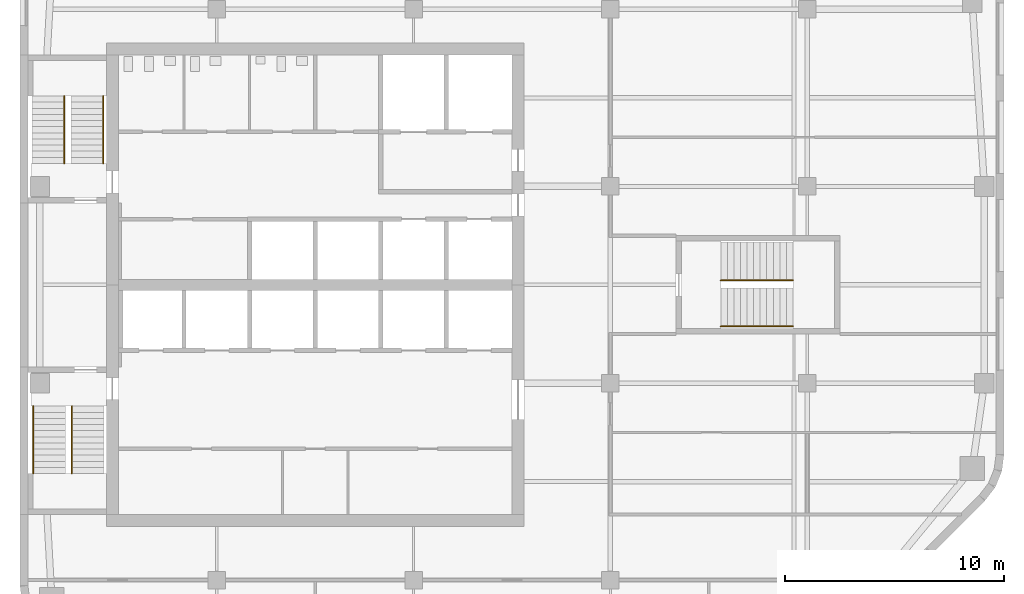
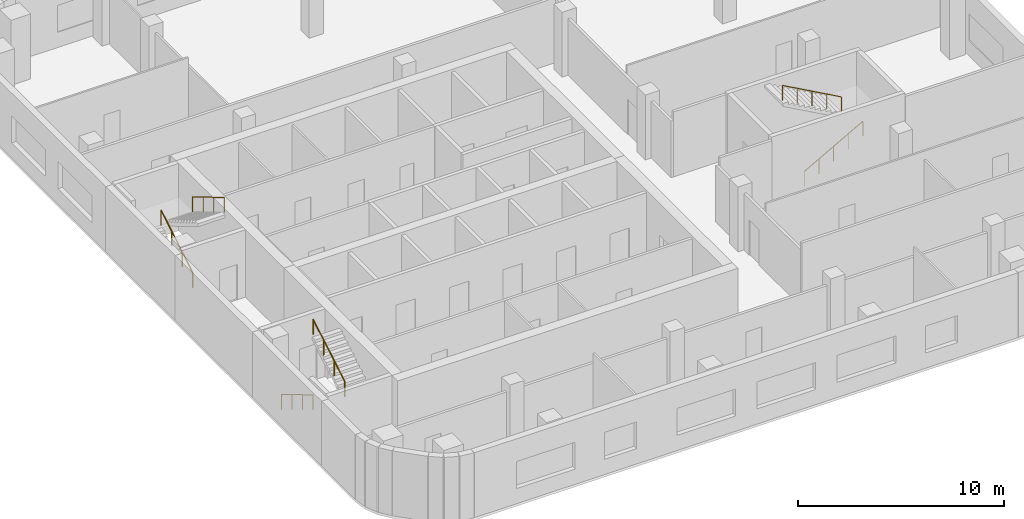
# One storey, part 6 of 7: 6 railings, 3 elements without a shape of their own.
"""IFC4 building model written with IfcOpenShell, lengths in metres."""

import ifcopenshell
import ifcopenshell.guid

model = None  # the IFC model being written
_history = None  # IfcOwnerHistory: only IFC2X3 demands one
_inside = {}  # id of a spatial element -> (the spatial element, [elements in it])
_under = {}  # id of a project, library or spatial element -> (it, [spatial elements below it])
_declared = {}  # id of a project -> (the project, [libraries it declares])
_typed = {}  # id of a type object -> (the type object, [elements of that type])
_made_of = {}  # id of a material, layer set ... -> (it, [elements and type objects made of it])


def new_model(schema):
    """Start an empty IFC model of exactly this schema.

    Asked for "IFC4X3", IfcOpenShell would pick the latest addendum, in which some entities
    have other attributes; the version numbers below select the first issue.
    IFC2X3 requires an IfcOwnerHistory on every rooted entity: one is made here for all.
    """
    global model, _history
    if schema == "IFC4X3":
        model = ifcopenshell.file(schema_version=(4, 3, 0, 0))
    else:
        model = ifcopenshell.file(schema=schema)
    _inside.clear()
    _under.clear()
    _declared.clear()
    _typed.clear()
    _made_of.clear()
    _history = None
    if model.schema == "IFC2X3":
        org = make("IfcOrganization", Name="unknown")
        user = make(
            "IfcPersonAndOrganization",
            ThePerson=make("IfcPerson", FamilyName="unknown"),
            TheOrganization=org,
        )
        app = make(
            "IfcApplication",
            ApplicationDeveloper=org,
            Version="unknown",
            ApplicationFullName="unknown",
            ApplicationIdentifier="unknown",
        )
        _history = make(
            "IfcOwnerHistory",
            OwningUser=user,
            OwningApplication=app,
            ChangeAction="ADDED",
            CreationDate=0,
        )
    return model


def make(cls, **values):
    """One entity of the class cls with the attributes given. An attribute that is None is left unset."""
    return model.create_entity(
        cls, **{name: value for name, value in values.items() if value is not None}
    )


def rooted(cls, **values):
    """An entity with a GlobalId (a new one), such as an element, a storey or a relation."""
    return make(cls, GlobalId=ifcopenshell.guid.new(), OwnerHistory=_history, **values)


def si_unit(unit_type, name, prefix=None):
    """IfcSIUnit, for example si_unit("LENGTHUNIT", "METRE", prefix="MILLI")."""
    return make("IfcSIUnit", UnitType=unit_type, Prefix=prefix, Name=name)


def assignment(units):
    """IfcUnitAssignment: the units of a project."""
    return None if units is None else make("IfcUnitAssignment", Units=units)


def point(xyz):
    """IfcCartesianPoint."""
    return None if xyz is None else make("IfcCartesianPoint", Coordinates=xyz)


def direction(xyz):
    """IfcDirection."""
    return None if xyz is None else make("IfcDirection", DirectionRatios=xyz)


def frame(location, z_axis=None, x_axis=None):
    """IfcAxis2Placement3D, a coordinate frame: its origin and axes. An axis left out is left unset."""
    return make(
        "IfcAxis2Placement3D",
        Location=point(location),
        Axis=direction(z_axis),
        RefDirection=direction(x_axis),
    )


def frame_2d(location, x_axis=None):
    """IfcAxis2Placement2D, a coordinate frame in the plane: its origin and x axis."""
    return make(
        "IfcAxis2Placement2D", Location=point(location), RefDirection=direction(x_axis)
    )


def origin():
    """The frame at (0, 0, 0) with its axes left unset."""
    return frame((0.0, 0.0, 0.0))


def origin_2d():
    """The frame at (0, 0) in the plane with its x axis left unset."""
    return frame_2d((0.0, 0.0))


def place(relative_to, where):
    """IfcLocalPlacement: puts the frame where relative to a parent placement (None: the world)."""
    return make(
        "IfcLocalPlacement", PlacementRelTo=relative_to, RelativePlacement=where
    )


def context(
    kind, dimensions, precision=None, world=None, true_north=None, identifier=None
):
    """IfcGeometricRepresentationContext, for example the 3D "Model" context."""
    return make(
        "IfcGeometricRepresentationContext",
        ContextIdentifier=identifier,
        ContextType=kind,
        CoordinateSpaceDimension=dimensions,
        Precision=precision,
        WorldCoordinateSystem=world,
        TrueNorth=true_north,
    )


def subcontext(parent, identifier, kind, view, scale=None):
    """IfcGeometricRepresentationSubContext, for example "Body" below "Model"."""
    return make(
        "IfcGeometricRepresentationSubContext",
        ContextIdentifier=identifier,
        ContextType=kind,
        ParentContext=parent,
        TargetScale=scale,
        TargetView=view,
    )


def project(units=None, contexts=None):
    """IfcProject with its units and contexts."""
    return rooted(
        "IfcProject",
        Name="project",
        RepresentationContexts=contexts,
        UnitsInContext=assignment(units),
    )


def spatial(cls, under=None, at=None, **own):
    """A site, building, storey or space (cls), placed at a placement, below another one or the project."""
    s = rooted(cls, ObjectPlacement=at, **own)
    if under is not None:
        _under.setdefault(under.id(), (under, []))[1].append(s)
    return s


def profile(cls, at=None, kind="AREA", **sizes):
    """A parametric profile (cls). Its sizes go by their IFC names, for example OverallWidth=200.0."""
    return make(cls, ProfileType=kind, Position=at, **sizes)


def circle(**sizes):
    """IfcCircleProfileDef."""
    return profile("IfcCircleProfileDef", **sizes)


def extrude(swept, where, along, depth):
    """IfcExtrudedAreaSolid: the profile swept, set in the frame where, extruded along a direction by depth."""
    return make(
        "IfcExtrudedAreaSolid",
        SweptArea=swept,
        Position=where,
        ExtrudedDirection=direction(along),
        Depth=depth,
    )


def shape(context_of_items, identifier, shape_type, items):
    """IfcShapeRepresentation: the items that make up one representation, for example the "Body"."""
    return make(
        "IfcShapeRepresentation",
        ContextOfItems=context_of_items,
        RepresentationIdentifier=identifier,
        RepresentationType=shape_type,
        Items=items,
    )


def material(Name=None, Category=None):
    """IfcMaterial."""
    return make("IfcMaterial", Name=Name, Category=Category)


def made_of(thing, what):
    """Note that an element or type object is made of a material, layer set ...; save() writes the relation."""
    if what is not None:
        _made_of.setdefault(what.id(), (what, []))[1].append(thing)
    return thing


def type_object(cls, material=None, **own):
    """A type object (cls), such as IfcWallType, which elements share."""
    return made_of(rooted(cls, **own), material)


def element(
    cls,
    number,
    at=None,
    inside=None,
    cuts=None,
    type_object=None,
    material=None,
    context=None,
    identifier="Body",
    shape_type=None,
    held_by="IfcProductDefinitionShape",
    body=None,
    shapes=None,
    **own,
):
    """One element of the class cls, such as IfcWall. Its Tag is "e" and its number.

    at: its placement. inside: the storey or other place that contains it. cuts: it is an
    opening in that element (IfcRelVoidsElement). A single representation is given by context,
    identifier, shape_type and body (its items); several are given by shapes. held_by: the class
    of the entity that holds the representations. save() writes the other relations.
    """
    e = rooted(cls, Tag="e%d" % number, ObjectPlacement=at, **own)
    if body is not None:
        shapes = [shape(context, identifier, shape_type, body)]
    if shapes is not None:
        e.Representation = make(held_by, Representations=shapes)
    if inside is not None:
        _inside.setdefault(inside.id(), (inside, []))[1].append(e)
    if cuts is not None:
        rooted(
            "IfcRelVoidsElement", RelatingBuildingElement=cuts, RelatedOpeningElement=e
        )
    if type_object is not None:
        _typed.setdefault(type_object.id(), (type_object, []))[1].append(e)
    return made_of(e, material)


def aggregate(whole, parts):
    """IfcRelAggregates: a whole, such as a stair, and the parts it consists of."""
    return rooted("IfcRelAggregates", RelatingObject=whole, RelatedObjects=parts)


def save(model, path):
    """Write the relations noted so far, then the file.

    IfcRelAggregates (storeys below a building ...), IfcRelContainedInSpatialStructure (elements
    in a storey), IfcRelDefinesByType, IfcRelAssociatesMaterial and IfcRelDeclares: one each for
    every whole, place, type object, material and project.
    """
    for whole, parts in _under.values():
        aggregate(whole, parts)
    for where, things in _inside.values():
        rooted(
            "IfcRelContainedInSpatialStructure",
            RelatedElements=things,
            RelatingStructure=where,
        )
    for kind, things in _typed.values():
        rooted("IfcRelDefinesByType", RelatedObjects=things, RelatingType=kind)
    for what, things in _made_of.values():
        rooted("IfcRelAssociatesMaterial", RelatedObjects=things, RelatingMaterial=what)
    for by, libraries in _declared.values():
        rooted("IfcRelDeclares", RelatingContext=by, RelatedDefinitions=libraries)
    model.write(path)


model = new_model("IFC4")

# Units and contexts
model_context = context("Model", 3, precision=1e-05, world=origin(), true_north=direction((0.0, 1.0)))
body_context = subcontext(model_context, "Body", "Model", "MODEL_VIEW")
ifc_project = project(units=[si_unit("LENGTHUNIT", "METRE"), si_unit("AREAUNIT", "SQUARE_METRE"), si_unit("VOLUMEUNIT", "CUBIC_METRE"), si_unit("PLANEANGLEUNIT", "RADIAN"), si_unit("MASSUNIT", "GRAM", prefix="KILO")], contexts=[model_context])

# Site, building, storey
site_placement = place(None, origin())
site = spatial("IfcSite", under=ifc_project, at=site_placement, CompositionType="ELEMENT")
building_placement = place(site_placement, origin())
building = spatial("IfcBuilding", under=site, at=building_placement, Name="Cinnabar Reach Civic Tower", CompositionType="ELEMENT")
storey_placement = place(building_placement, frame((0.0, 0.0, 234.0)))
storey = spatial("IfcBuildingStorey", under=building, at=storey_placement, Name="L56", CompositionType="ELEMENT", Elevation=234.0)

# Stair, railings
ifc_material_1 = material(Name="Concrete C40/50", Category="concrete")
stair_type = type_object("IfcStairType", Name="T1 Exit stair, half-turn", PredefinedType="HALF_TURN_STAIR", material=ifc_material_1)
stair_1_placement = place(storey_placement, origin())
stair_1 = element("IfcStair", 1, at=stair_1_placement, inside=storey, type_object=stair_type, Name="Stair T1-S1", PredefinedType="HALF_TURN_STAIR")
ifc_material_2 = material(Name="Stainless steel tube", Category="steel")
railing_type = type_object("IfcRailingType", Name="T1 Stair handrail, stainless tube 48", PredefinedType="HANDRAIL", material=ifc_material_2)
railing_1_placement = place(storey_placement, frame((0.6, 25.95, 0.1667)))
railing_1 = element("IfcRailing", 2, at=railing_1_placement, type_object=railing_type, Name="T1-S1 handrail 1", PredefinedType="HANDRAIL", context=body_context, shape_type="SweptSolid", body=[
    extrude(circle(Radius=0.024, at=origin_2d()), frame((0.0, 0.0, 0.876), z_axis=(0.0, -0.859296971757, 0.511476992962), x_axis=(1.0, 0.0, 0.0)), (0.0, 0.0, 1.0), 3.5843),
    extrude(circle(Radius=0.021, at=origin_2d()), origin(), (0.0, 0.0, 1.0), 0.852),
    extrude(circle(Radius=0.021, at=origin_2d()), frame((0.0, -1.0267, 0.6111)), (0.0, 0.0, 1.0), 0.852),
    extrude(circle(Radius=0.021, at=origin_2d()), frame((0.0, -2.0533, 1.2222)), (0.0, 0.0, 1.0), 0.852),
    extrude(circle(Radius=0.021, at=origin_2d()), frame((0.0, -3.08, 1.8333)), (0.0, 0.0, 1.0), 0.852),
])
railing_2_placement = place(storey_placement, frame((2.375, 22.87, 2.1667)))
railing_2 = element("IfcRailing", 3, at=railing_2_placement, type_object=railing_type, Name="T1-S1 handrail 2", PredefinedType="HANDRAIL", context=body_context, shape_type="SweptSolid", body=[
    extrude(circle(Radius=0.024, at=origin_2d()), frame((0.0, 0.0, 0.876), z_axis=(0.0, 0.859296971757, 0.511476992962), x_axis=(-1.0, 0.0, 0.0)), (0.0, 0.0, 1.0), 3.5843),
    extrude(circle(Radius=0.021, at=origin_2d()), origin(), (0.0, 0.0, 1.0), 0.852),
    extrude(circle(Radius=0.021, at=origin_2d()), frame((0.0, 1.0267, 0.6111)), (0.0, 0.0, 1.0), 0.852),
    extrude(circle(Radius=0.021, at=origin_2d()), frame((0.0, 2.0533, 1.2222)), (0.0, 0.0, 1.0), 0.852),
    extrude(circle(Radius=0.021, at=origin_2d()), frame((0.0, 3.08, 1.8333)), (0.0, 0.0, 1.0), 0.852),
])
aggregate(stair_1, [railing_1, railing_2])

stair_2_placement = place(storey_placement, origin())
stair_2 = element("IfcStair", 4, at=stair_2_placement, inside=storey, type_object=stair_type, Name="Stair T1-S2", PredefinedType="HALF_TURN_STAIR")
railing_3_placement = place(storey_placement, frame((2.025, 37.05, 0.1667)))
railing_3 = element("IfcRailing", 5, at=railing_3_placement, type_object=railing_type, Name="T1-S2 handrail 1", PredefinedType="HANDRAIL", context=body_context, shape_type="SweptSolid", body=[
    extrude(circle(Radius=0.024, at=origin_2d()), frame((0.0, 0.0, 0.876), z_axis=(0.0, 0.859296971757, 0.511476992962), x_axis=(-1.0, 0.0, 0.0)), (0.0, 0.0, 1.0), 3.5843),
    extrude(circle(Radius=0.021, at=origin_2d()), origin(), (0.0, 0.0, 1.0), 0.852),
    extrude(circle(Radius=0.021, at=origin_2d()), frame((0.0, 1.0267, 0.6111)), (0.0, 0.0, 1.0), 0.852),
    extrude(circle(Radius=0.021, at=origin_2d()), frame((0.0, 2.0533, 1.2222)), (0.0, 0.0, 1.0), 0.852),
    extrude(circle(Radius=0.021, at=origin_2d()), frame((0.0, 3.08, 1.8333)), (0.0, 0.0, 1.0), 0.852),
])
railing_4_placement = place(storey_placement, frame((3.8, 40.13, 2.1667)))
railing_4 = element("IfcRailing", 6, at=railing_4_placement, type_object=railing_type, Name="T1-S2 handrail 2", PredefinedType="HANDRAIL", context=body_context, shape_type="SweptSolid", body=[
    extrude(circle(Radius=0.024, at=origin_2d()), frame((0.0, 0.0, 0.876), z_axis=(0.0, -0.859296971757, 0.511476992962), x_axis=(1.0, 0.0, 0.0)), (0.0, 0.0, 1.0), 3.5843),
    extrude(circle(Radius=0.021, at=origin_2d()), origin(), (0.0, 0.0, 1.0), 0.852),
    extrude(circle(Radius=0.021, at=origin_2d()), frame((0.0, -1.0267, 0.6111)), (0.0, 0.0, 1.0), 0.852),
    extrude(circle(Radius=0.021, at=origin_2d()), frame((0.0, -2.0533, 1.2222)), (0.0, 0.0, 1.0), 0.852),
    extrude(circle(Radius=0.021, at=origin_2d()), frame((0.0, -3.08, 1.8333)), (0.0, 0.0, 1.0), 0.852),
])
aggregate(stair_2, [railing_3, railing_4])

stair_3_placement = place(storey_placement, origin())
stair_3 = element("IfcStair", 7, at=stair_3_placement, inside=storey, type_object=stair_type, Name="Stair T1-S3", PredefinedType="HALF_TURN_STAIR")
railing_5_placement = place(storey_placement, frame((32.05, 29.6, 0.1667)))
railing_5 = element("IfcRailing", 8, at=railing_5_placement, type_object=railing_type, Name="T1-S3 handrail 1", PredefinedType="HANDRAIL", context=body_context, shape_type="SweptSolid", body=[
    extrude(circle(Radius=0.024, at=origin_2d()), frame((0.0, 0.0, 0.876), z_axis=(0.874161024642, 0.0, 0.485636183781), x_axis=(0.0, 1.0, 0.0)), (0.0, 0.0, 1.0), 3.775),
    extrude(circle(Radius=0.021, at=origin_2d()), origin(), (0.0, 0.0, 1.0), 0.852),
    extrude(circle(Radius=0.021, at=origin_2d()), frame((0.825, 0.0, 0.4583)), (0.0, 0.0, 1.0), 0.852),
    extrude(circle(Radius=0.021, at=origin_2d()), frame((1.65, 0.0, 0.9167)), (0.0, 0.0, 1.0), 0.852),
    extrude(circle(Radius=0.021, at=origin_2d()), frame((2.475, 0.0, 1.375)), (0.0, 0.0, 1.0), 0.852),
    extrude(circle(Radius=0.021, at=origin_2d()), frame((3.3, 0.0, 1.8333)), (0.0, 0.0, 1.0), 0.852),
])
railing_6_placement = place(storey_placement, frame((35.35, 31.7, 2.1667)))
railing_6 = element("IfcRailing", 9, at=railing_6_placement, type_object=railing_type, Name="T1-S3 handrail 2", PredefinedType="HANDRAIL", context=body_context, shape_type="SweptSolid", body=[
    extrude(circle(Radius=0.024, at=origin_2d()), frame((0.0, 0.0, 0.876), z_axis=(-0.874161024642, 0.0, 0.485636183781), x_axis=(0.0, -1.0, 0.0)), (0.0, 0.0, 1.0), 3.775),
    extrude(circle(Radius=0.021, at=origin_2d()), origin(), (0.0, 0.0, 1.0), 0.852),
    extrude(circle(Radius=0.021, at=origin_2d()), frame((-0.825, 0.0, 0.4583)), (0.0, 0.0, 1.0), 0.852),
    extrude(circle(Radius=0.021, at=origin_2d()), frame((-1.65, 0.0, 0.9167)), (0.0, 0.0, 1.0), 0.852),
    extrude(circle(Radius=0.021, at=origin_2d()), frame((-2.475, 0.0, 1.375)), (0.0, 0.0, 1.0), 0.852),
    extrude(circle(Radius=0.021, at=origin_2d()), frame((-3.3, 0.0, 1.8333)), (0.0, 0.0, 1.0), 0.852),
])
aggregate(stair_3, [railing_5, railing_6])

save(model, "model.ifc")
